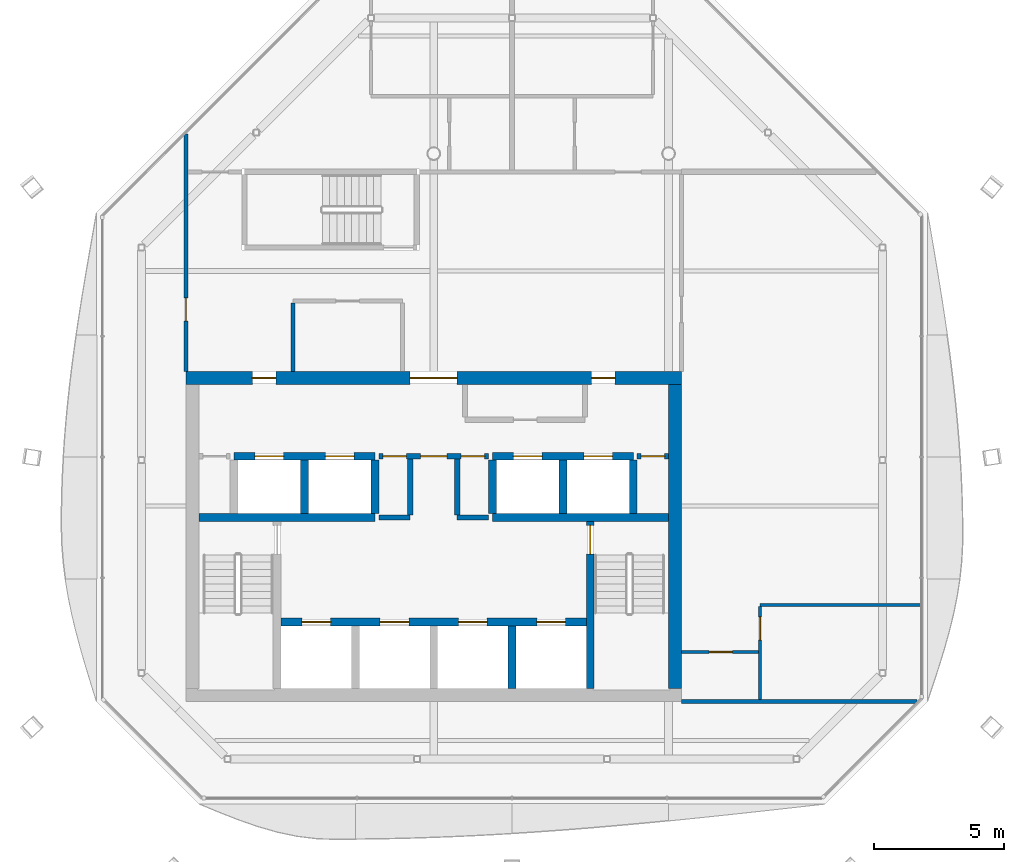
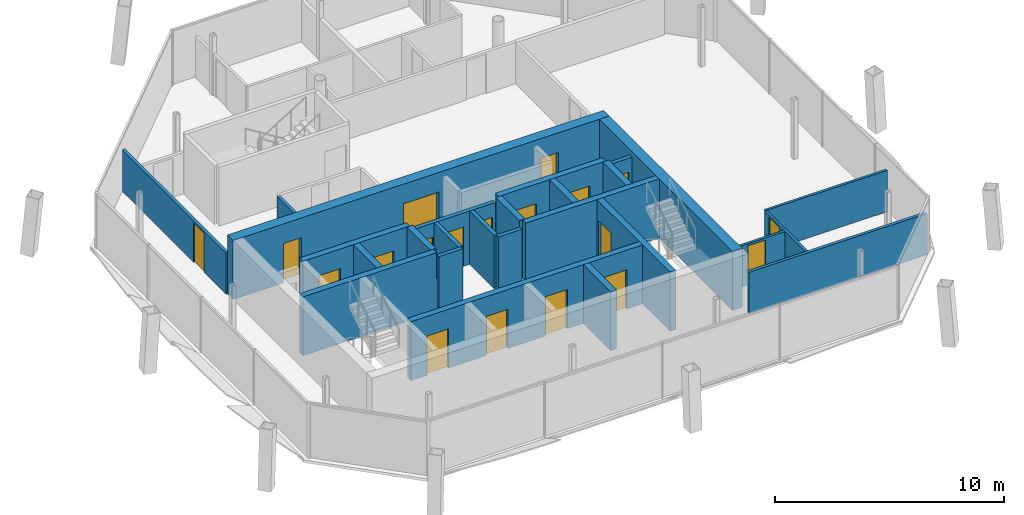
# One storey, part 9 of 13: 26 walls, 19 doors, 19 openings.
"""IFC4 building model written with IfcOpenShell, lengths in metres."""

from ifc_helpers import new_model, si_unit, direction, frame, frame_2d, origin, place, context, subcontext, project, spatial, rectangle, extrude, material, layer, layer_set, type_object, element, fill, save


model = new_model("IFC4")

# Units and contexts
model_context = context("Model", 3, precision=1e-05, world=origin(), true_north=direction((0.0, 1.0)))
body_context = subcontext(model_context, "Body", "Model", "MODEL_VIEW")
ifc_project = project(units=[si_unit("LENGTHUNIT", "METRE"), si_unit("AREAUNIT", "SQUARE_METRE"), si_unit("VOLUMEUNIT", "CUBIC_METRE"), si_unit("PLANEANGLEUNIT", "RADIAN"), si_unit("MASSUNIT", "GRAM", prefix="KILO")], contexts=[model_context])

# Site, building, storey
site_placement = place(None, origin())
site = spatial("IfcSite", under=ifc_project, at=site_placement, CompositionType="ELEMENT")
building_placement = place(site_placement, origin())
building = spatial("IfcBuilding", under=site, at=building_placement, Name="Tskaro Facet Tower", CompositionType="ELEMENT")
storey_placement = place(building_placement, frame((0.0, 0.0, 284.699951171875)))
storey = spatial("IfcBuildingStorey", under=building, at=storey_placement, Name="L76", CompositionType="ELEMENT", Elevation=284.699951171875)

# Wall, openings, doors
ifc_material_1 = material(Name="Concrete C60/75", Category="concrete")
ifc_layer_1 = layer(ifc_material_1, 0.300048828125, Name="Concrete C60/75")
ifc_layer_set_1 = layer_set([ifc_layer_1], Name="Concrete C60/75")
wall_type_1 = type_object("IfcWallType", Name="CORE-SHAFT", PredefinedType="SHEAR", material=ifc_layer_set_1)
wall_1_placement = place(storey_placement, frame((-5.85009765625, -8.949951171875, 0.0), z_axis=(0.0, 0.0, 1.0), x_axis=(1.0, 0.0, 0.0)))
wall_1 = element("IfcWall", 1, at=wall_1_placement, inside=storey, type_object=wall_type_1, Name="Shaft wall W003", PredefinedType="SHEAR", context=body_context, shape_type="SweptSolid", body=[
    extrude(rectangle(XDim=11.7001953125, YDim=0.300048828125, at=frame_2d((5.85009765625, 0.0))), origin(), (0.0, 0.0, 1.0), 3.150146484375),
])
opening_1_placement = place(wall_1_placement, frame((0.800048828125, 0.0, 0.0)))
opening_1 = element("IfcOpeningElement", 2, at=opening_1_placement, cuts=wall_1, Name="Opening LD-FF1", PredefinedType="OPENING", context=body_context, shape_type="SweptSolid", body=[
    extrude(rectangle(XDim=1.10009765625, YDim=2.10009765625, at=frame_2d((0.550048828125, 1.050048828125))), frame((0.0, 0.159912109375, 0.0), z_axis=(0.0, -1.0, 0.0), x_axis=(1.0, 0.0, 0.0)), (0.0, 0.0, 1.0), 0.320068359375),
])
opening_2_placement = place(wall_1_placement, frame((3.800048828125, 0.0, 0.0)))
opening_2 = element("IfcOpeningElement", 3, at=opening_2_placement, cuts=wall_1, Name="Opening LD-FF2", PredefinedType="OPENING", context=body_context, shape_type="SweptSolid", body=[
    extrude(rectangle(XDim=1.10009765625, YDim=2.10009765625, at=frame_2d((0.550048828125, 1.050048828125))), frame((0.0, 0.159912109375, 0.0), z_axis=(0.0, -1.0, 0.0), x_axis=(1.0, 0.0, 0.0)), (0.0, 0.0, 1.0), 0.320068359375),
])
opening_3_placement = place(wall_1_placement, frame((6.800048828125, 0.0, 0.0)))
opening_3 = element("IfcOpeningElement", 4, at=opening_3_placement, cuts=wall_1, Name="Opening LD-SV1", PredefinedType="OPENING", context=body_context, shape_type="SweptSolid", body=[
    extrude(rectangle(XDim=1.10009765625, YDim=2.10009765625, at=frame_2d((0.550048828125, 1.050048828125))), frame((0.0, 0.159912109375, 0.0), z_axis=(0.0, -1.0, 0.0), x_axis=(1.0, 0.0, 0.0)), (0.0, 0.0, 1.0), 0.320068359375),
])
opening_4_placement = place(wall_1_placement, frame((9.800048828125, 0.0, 0.0)))
opening_4 = element("IfcOpeningElement", 5, at=opening_4_placement, cuts=wall_1, Name="Opening LD-SV2", PredefinedType="OPENING", context=body_context, shape_type="SweptSolid", body=[
    extrude(rectangle(XDim=1.10009765625, YDim=2.10009765625, at=frame_2d((0.550048828125, 1.050048828125))), frame((0.0, 0.159912109375, 0.0), z_axis=(0.0, -1.0, 0.0), x_axis=(1.0, 0.0, 0.0)), (0.0, 0.0, 1.0), 0.320068359375),
])
ifc_material_2 = material(Name="Stainless steel", Category="steel")
door_type_1 = type_object("IfcDoorType", Name="D-LANDING", OperationType="NOTDEFINED", PredefinedType="DOOR", material=ifc_material_2)
door_1_placement = place(opening_1_placement, origin())
door_1 = element("IfcDoor", 6, at=door_1_placement, inside=storey, type_object=door_type_1, Name="Landing door FF1", OperationType="DOUBLE_DOOR_SLIDING", OverallHeight=2.10009765625, OverallWidth=1.10009765625, PredefinedType="DOOR", context=body_context, shape_type="SweptSolid", body=[
    extrude(rectangle(XDim=1.10009765625, YDim=2.10009765625, at=frame_2d((0.550048828125, 1.050048828125))), frame((0.0, 0.02490234375, 0.0), z_axis=(0.0, -1.0, 0.0), x_axis=(1.0, 0.0, 0.0)), (0.0, 0.0, 1.0), 0.050048828125),
])
fill(opening_1, door_1)
door_2_placement = place(opening_2_placement, origin())
door_2 = element("IfcDoor", 7, at=door_2_placement, inside=storey, type_object=door_type_1, Name="Landing door FF2", OperationType="DOUBLE_DOOR_SLIDING", OverallHeight=2.10009765625, OverallWidth=1.10009765625, PredefinedType="DOOR", context=body_context, shape_type="SweptSolid", body=[
    extrude(rectangle(XDim=1.10009765625, YDim=2.10009765625, at=frame_2d((0.550048828125, 1.050048828125))), frame((0.0, 0.02490234375, 0.0), z_axis=(0.0, -1.0, 0.0), x_axis=(1.0, 0.0, 0.0)), (0.0, 0.0, 1.0), 0.050048828125),
])
fill(opening_2, door_2)
door_3_placement = place(opening_3_placement, origin())
door_3 = element("IfcDoor", 8, at=door_3_placement, inside=storey, type_object=door_type_1, Name="Landing door SV1", OperationType="DOUBLE_DOOR_SLIDING", OverallHeight=2.10009765625, OverallWidth=1.10009765625, PredefinedType="DOOR", context=body_context, shape_type="SweptSolid", body=[
    extrude(rectangle(XDim=1.10009765625, YDim=2.10009765625, at=frame_2d((0.550048828125, 1.050048828125))), frame((0.0, 0.02490234375, 0.0), z_axis=(0.0, -1.0, 0.0), x_axis=(1.0, 0.0, 0.0)), (0.0, 0.0, 1.0), 0.050048828125),
])
fill(opening_3, door_3)
door_4_placement = place(opening_4_placement, origin())
door_4 = element("IfcDoor", 9, at=door_4_placement, inside=storey, type_object=door_type_1, Name="Landing door SV2", OperationType="DOUBLE_DOOR_SLIDING", OverallHeight=2.10009765625, OverallWidth=1.10009765625, PredefinedType="DOOR", context=body_context, shape_type="SweptSolid", body=[
    extrude(rectangle(XDim=1.10009765625, YDim=2.10009765625, at=frame_2d((0.550048828125, 1.050048828125))), frame((0.0, 0.02490234375, 0.0), z_axis=(0.0, -1.0, 0.0), x_axis=(1.0, 0.0, 0.0)), (0.0, 0.0, 1.0), 0.050048828125),
])
fill(opening_4, door_4)

# Walls
for number, where, z_axis, x_axis, name in (
    (10, (-9.0, -4.949951171875, 0.0), (0.0, 0.0, 1.0), (1.0, 0.0, 0.0), "Shaft wall W005"),
    (11, (2.25, -4.949951171875, 0.0), (0.0, 0.0, 1.0), (1.0, 0.0, 0.0), "Shaft wall W008"),
):
    element("IfcWall", number, at=place(storey_placement, frame(where, z_axis=z_axis, x_axis=x_axis)), inside=storey, type_object=wall_type_1, Name=name, PredefinedType="SHEAR", context=body_context, shape_type="SweptSolid", body=[
        extrude(rectangle(XDim=6.75, YDim=0.300048828125, at=frame_2d((3.375, 0.0))), origin(), (0.0, 0.0, 1.0), 3.150146484375),
    ])

# Wall, openings, doors
wall_2_placement = place(storey_placement, frame((-7.64990234375, -2.60009765625, 0.0), z_axis=(0.0, 0.0, 1.0), x_axis=(1.0, 0.0, 0.0)))
wall_2 = element("IfcWall", 12, at=wall_2_placement, inside=storey, type_object=wall_type_1, Name="Shaft wall W010", PredefinedType="SHEAR", context=body_context, shape_type="SweptSolid", body=[
    extrude(rectangle(XDim=5.39990234375, YDim=0.300048828125, at=frame_2d((2.699951171875, 0.0))), origin(), (0.0, 0.0, 1.0), 3.150146484375),
])
opening_5_placement = place(wall_2_placement, frame((0.800048828125, 0.0, 0.0)))
opening_5 = element("IfcOpeningElement", 13, at=opening_5_placement, cuts=wall_2, Name="Opening LD-HB1", PredefinedType="OPENING", context=body_context, shape_type="SweptSolid", body=[
    extrude(rectangle(XDim=1.10009765625, YDim=2.10009765625, at=frame_2d((0.550048828125, 1.050048828125))), frame((0.0, 0.159912109375, 0.0), z_axis=(0.0, -1.0, 0.0), x_axis=(1.0, 0.0, 0.0)), (0.0, 0.0, 1.0), 0.320068359375),
])
opening_6_placement = place(wall_2_placement, frame((3.5, 0.0, 0.0)))
opening_6 = element("IfcOpeningElement", 14, at=opening_6_placement, cuts=wall_2, Name="Opening LD-HB2", PredefinedType="OPENING", context=body_context, shape_type="SweptSolid", body=[
    extrude(rectangle(XDim=1.10009765625, YDim=2.10009765625, at=frame_2d((0.550048828125, 1.050048828125))), frame((0.0, 0.159912109375, 0.0), z_axis=(0.0, -1.0, 0.0), x_axis=(1.0, 0.0, 0.0)), (0.0, 0.0, 1.0), 0.320068359375),
])
door_5_placement = place(opening_5_placement, origin())
door_5 = element("IfcDoor", 15, at=door_5_placement, inside=storey, type_object=door_type_1, Name="Landing door HB1", OperationType="DOUBLE_DOOR_SLIDING", OverallHeight=2.10009765625, OverallWidth=1.10009765625, PredefinedType="DOOR", context=body_context, shape_type="SweptSolid", body=[
    extrude(rectangle(XDim=1.10009765625, YDim=2.10009765625, at=frame_2d((0.550048828125, 1.050048828125))), frame((0.0, 0.02490234375, 0.0), z_axis=(0.0, -1.0, 0.0), x_axis=(1.0, 0.0, 0.0)), (0.0, 0.0, 1.0), 0.050048828125),
])
fill(opening_5, door_5)
door_6_placement = place(opening_6_placement, origin())
door_6 = element("IfcDoor", 16, at=door_6_placement, inside=storey, type_object=door_type_1, Name="Landing door HB2", OperationType="DOUBLE_DOOR_SLIDING", OverallHeight=2.10009765625, OverallWidth=1.10009765625, PredefinedType="DOOR", context=body_context, shape_type="SweptSolid", body=[
    extrude(rectangle(XDim=1.10009765625, YDim=2.10009765625, at=frame_2d((0.550048828125, 1.050048828125))), frame((0.0, 0.02490234375, 0.0), z_axis=(0.0, -1.0, 0.0), x_axis=(1.0, 0.0, 0.0)), (0.0, 0.0, 1.0), 0.050048828125),
])
fill(opening_6, door_6)

wall_3_placement = place(storey_placement, frame((2.25, -2.60009765625, 0.0), z_axis=(0.0, 0.0, 1.0), x_axis=(1.0, 0.0, 0.0)))
wall_3 = element("IfcWall", 17, at=wall_3_placement, inside=storey, type_object=wall_type_1, Name="Shaft wall W012", PredefinedType="SHEAR", context=body_context, shape_type="SweptSolid", body=[
    extrude(rectangle(XDim=5.39990234375, YDim=0.300048828125, at=frame_2d((2.699951171875, 0.0))), origin(), (0.0, 0.0, 1.0), 3.150146484375),
])
opening_7_placement = place(wall_3_placement, frame((0.800048828125, 0.0, 0.0)))
opening_7 = element("IfcOpeningElement", 18, at=opening_7_placement, cuts=wall_3, Name="Opening LD-HB3", PredefinedType="OPENING", context=body_context, shape_type="SweptSolid", body=[
    extrude(rectangle(XDim=1.10009765625, YDim=2.10009765625, at=frame_2d((0.550048828125, 1.050048828125))), frame((0.0, 0.159912109375, 0.0), z_axis=(0.0, -1.0, 0.0), x_axis=(1.0, 0.0, 0.0)), (0.0, 0.0, 1.0), 0.320068359375),
])
opening_8_placement = place(wall_3_placement, frame((3.5, 0.0, 0.0)))
opening_8 = element("IfcOpeningElement", 19, at=opening_8_placement, cuts=wall_3, Name="Opening LD-HB4", PredefinedType="OPENING", context=body_context, shape_type="SweptSolid", body=[
    extrude(rectangle(XDim=1.10009765625, YDim=2.10009765625, at=frame_2d((0.550048828125, 1.050048828125))), frame((0.0, 0.159912109375, 0.0), z_axis=(0.0, -1.0, 0.0), x_axis=(1.0, 0.0, 0.0)), (0.0, 0.0, 1.0), 0.320068359375),
])
door_7_placement = place(opening_7_placement, origin())
door_7 = element("IfcDoor", 20, at=door_7_placement, inside=storey, type_object=door_type_1, Name="Landing door HB3", OperationType="DOUBLE_DOOR_SLIDING", OverallHeight=2.10009765625, OverallWidth=1.10009765625, PredefinedType="DOOR", context=body_context, shape_type="SweptSolid", body=[
    extrude(rectangle(XDim=1.10009765625, YDim=2.10009765625, at=frame_2d((0.550048828125, 1.050048828125))), frame((0.0, 0.02490234375, 0.0), z_axis=(0.0, -1.0, 0.0), x_axis=(1.0, 0.0, 0.0)), (0.0, 0.0, 1.0), 0.050048828125),
])
fill(opening_7, door_7)
door_8_placement = place(opening_8_placement, origin())
door_8 = element("IfcDoor", 21, at=door_8_placement, inside=storey, type_object=door_type_1, Name="Landing door HB4", OperationType="DOUBLE_DOOR_SLIDING", OverallHeight=2.10009765625, OverallWidth=1.10009765625, PredefinedType="DOOR", context=body_context, shape_type="SweptSolid", body=[
    extrude(rectangle(XDim=1.10009765625, YDim=2.10009765625, at=frame_2d((0.550048828125, 1.050048828125))), frame((0.0, 0.02490234375, 0.0), z_axis=(0.0, -1.0, 0.0), x_axis=(1.0, 0.0, 0.0)), (0.0, 0.0, 1.0), 0.050048828125),
])
fill(opening_8, door_8)

# Walls
for number, where, z_axis, x_axis, name in (
    (22, (-4.949951171875, -4.800048828125, 0.0), (0.0, 0.0, 1.0), (0.0, 1.0, 0.0), "Shaft wall W027"),
    (23, (-2.25, -4.800048828125, 0.0), (0.0, 0.0, 1.0), (0.0, 1.0, 0.0), "Shaft wall W031"),
    (24, (2.25, -4.800048828125, 0.0), (0.0, 0.0, 1.0), (0.0, 1.0, 0.0), "Shaft wall W039"),
):
    element("IfcWall", number, at=place(storey_placement, frame(where, z_axis=z_axis, x_axis=x_axis)), inside=storey, type_object=wall_type_1, Name=name, PredefinedType="SHEAR", context=body_context, shape_type="SweptSolid", body=[
        extrude(rectangle(XDim=2.050048828125, YDim=0.300048828125, at=frame_2d((1.02490234375, 0.0))), origin(), (0.0, 0.0, 1.0), 3.150146484375),
    ])
wall_4_placement = place(storey_placement, frame((3.0, -11.5, 0.0), z_axis=(0.0, 0.0, 1.0), x_axis=(0.0, 1.0, 0.0)))
element("IfcWall", 25, at=wall_4_placement, inside=storey, type_object=wall_type_1, Name="Shaft wall W040", PredefinedType="SHEAR", context=body_context, shape_type="SweptSolid", body=[
    extrude(rectangle(XDim=2.39990234375, YDim=0.300048828125, at=frame_2d((1.199951171875, 0.0))), origin(), (0.0, 0.0, 1.0), 3.150146484375),
])
wall_5_placement = place(storey_placement, frame((4.949951171875, -4.800048828125, 0.0), z_axis=(0.0, 0.0, 1.0), x_axis=(0.0, 1.0, 0.0)))
element("IfcWall", 26, at=wall_5_placement, inside=storey, type_object=wall_type_1, Name="Shaft wall W043", PredefinedType="SHEAR", context=body_context, shape_type="SweptSolid", body=[
    extrude(rectangle(XDim=2.050048828125, YDim=0.300048828125, at=frame_2d((1.02490234375, 0.0))), origin(), (0.0, 0.0, 1.0), 3.150146484375),
])

# Wall, opening, door
wall_6_placement = place(storey_placement, frame((6.0, -5.10009765625, 0.0), z_axis=(0.0, 0.0, 1.0), x_axis=(0.0, -1.0, 0.0)))
wall_6 = element("IfcWall", 27, at=wall_6_placement, inside=storey, type_object=wall_type_1, Name="Shaft wall W046", PredefinedType="SHEAR", context=body_context, shape_type="SweptSolid", body=[
    extrude(rectangle(XDim=6.39990234375, YDim=0.300048828125, at=frame_2d((3.199951171875, 0.0))), origin(), (0.0, 0.0, 1.0), 3.150146484375),
])
opening_9_placement = place(wall_6_placement, frame((0.14990234375, 0.0, 0.0)))
opening_9 = element("IfcOpeningElement", 28, at=opening_9_placement, cuts=wall_6, Name="Opening ST-2-D1", PredefinedType="OPENING", context=body_context, shape_type="SweptSolid", body=[
    extrude(rectangle(XDim=1.10009765625, YDim=2.10009765625, at=frame_2d((0.550048828125, 1.050048828125))), frame((0.0, 0.159912109375, 0.0), z_axis=(0.0, -1.0, 0.0), x_axis=(1.0, 0.0, 0.0)), (0.0, 0.0, 1.0), 0.320068359375),
])
ifc_material_3 = material(Name="Steel", Category="steel")
door_type_2 = type_object("IfcDoorType", Name="D-STAIR", OperationType="NOTDEFINED", PredefinedType="DOOR", material=ifc_material_3)
door_9_placement = place(opening_9_placement, origin())
door_9 = element("IfcDoor", 29, at=door_9_placement, inside=storey, type_object=door_type_2, Name="Stair door 2", OperationType="SINGLE_SWING_RIGHT", OverallHeight=2.10009765625, OverallWidth=1.10009765625, PredefinedType="DOOR", context=body_context, shape_type="SweptSolid", body=[
    extrude(rectangle(XDim=1.10009765625, YDim=2.10009765625, at=frame_2d((0.550048828125, 1.050048828125))), frame((0.0, 0.02490234375, 0.0), z_axis=(0.0, -1.0, 0.0), x_axis=(1.0, 0.0, 0.0)), (0.0, 0.0, 1.0), 0.050048828125),
])
fill(opening_9, door_9)

# Walls
wall_7_placement = place(storey_placement, frame((7.64990234375, -4.800048828125, 0.0), z_axis=(0.0, 0.0, 1.0), x_axis=(0.0, 1.0, 0.0)))
element("IfcWall", 30, at=wall_7_placement, inside=storey, type_object=wall_type_1, Name="Shaft wall W047", PredefinedType="SHEAR", context=body_context, shape_type="SweptSolid", body=[
    extrude(rectangle(XDim=2.050048828125, YDim=0.300048828125, at=frame_2d((1.02490234375, 0.0))), origin(), (0.0, 0.0, 1.0), 3.150146484375),
])
ifc_material_4 = material(Name="Concrete C20/25", Category="concrete")
ifc_layer_2 = layer(ifc_material_4, 0.199951171875, Name="Concrete C20/25")
ifc_layer_set_2 = layer_set([ifc_layer_2], Name="Concrete C20/25")
wall_type_2 = type_object("IfcWallType", Name="CORE-WALL", PredefinedType="SOLIDWALL", material=ifc_layer_set_2)
for number, where, z_axis, x_axis, name in (
    (31, (-2.10009765625, -4.949951171875, 0.0), (0.0, 0.0, 1.0), (1.0, 0.0, 0.0), "Core room wall W006"),
    (32, (0.89990234375, -4.949951171875, 0.0), (0.0, 0.0, 1.0), (1.0, 0.0, 0.0), "Core room wall W007"),
):
    element("IfcWall", number, at=place(storey_placement, frame(where, z_axis=z_axis, x_axis=x_axis)), inside=storey, type_object=wall_type_2, Name=name, PredefinedType="SOLIDWALL", context=body_context, shape_type="SweptSolid", body=[
        extrude(rectangle(XDim=1.2001953125, YDim=0.199951171875, at=frame_2d((0.60009765625, 0.0))), origin(), (0.0, 0.0, 1.0), 2.85009765625),
    ])

# Wall, openings, doors
wall_8_placement = place(storey_placement, frame((2.10009765625, -2.60009765625, 0.0), z_axis=(0.0, 0.0, 1.0), x_axis=(-1.0, 0.0, 0.0)))
wall_8 = element("IfcWall", 33, at=wall_8_placement, inside=storey, type_object=wall_type_2, Name="Core room wall W011", PredefinedType="SOLIDWALL", context=body_context, shape_type="SweptSolid", body=[
    extrude(rectangle(XDim=4.2001953125, YDim=0.199951171875, at=frame_2d((2.10009765625, 0.0))), origin(), (0.0, 0.0, 1.0), 2.85009765625),
])
opening_10_placement = place(wall_8_placement, frame((1.60009765625, 0.0, 0.0)))
opening_10 = element("IfcOpeningElement", 34, at=opening_10_placement, cuts=wall_8, Name="Opening FL-D1", PredefinedType="OPENING", context=body_context, shape_type="SweptSolid", body=[
    extrude(rectangle(XDim=1.0, YDim=2.10009765625, at=frame_2d((0.5, 1.050048828125))), frame((0.0, 0.10986328125, 0.0), z_axis=(0.0, -1.0, 0.0), x_axis=(1.0, 0.0, 0.0)), (0.0, 0.0, 1.0), 0.219970703125),
])
opening_11_placement = place(wall_8_placement, frame((3.14990234375, 0.0, 0.0)))
opening_11 = element("IfcOpeningElement", 35, at=opening_11_placement, cuts=wall_8, Name="Opening T22-D04", PredefinedType="OPENING", context=body_context, shape_type="SweptSolid", body=[
    extrude(rectangle(XDim=0.89990234375, YDim=2.10009765625, at=frame_2d((0.449951171875, 1.050048828125))), frame((0.0, 0.10986328125, 0.0), z_axis=(0.0, -1.0, 0.0), x_axis=(1.0, 0.0, 0.0)), (0.0, 0.0, 1.0), 0.219970703125),
])
opening_12_placement = place(wall_8_placement, frame((0.14990234375, 0.0, 0.0)))
opening_12 = element("IfcOpeningElement", 36, at=opening_12_placement, cuts=wall_8, Name="Opening T22-D05", PredefinedType="OPENING", context=body_context, shape_type="SweptSolid", body=[
    extrude(rectangle(XDim=0.89990234375, YDim=2.10009765625, at=frame_2d((0.449951171875, 1.050048828125))), frame((0.0, 0.10986328125, 0.0), z_axis=(0.0, -1.0, 0.0), x_axis=(1.0, 0.0, 0.0)), (0.0, 0.0, 1.0), 0.219970703125),
])
door_type_3 = type_object("IfcDoorType", Name="D-LOBBY", OperationType="NOTDEFINED", PredefinedType="DOOR", material=ifc_material_3)
door_10_placement = place(opening_10_placement, origin())
door_10 = element("IfcDoor", 37, at=door_10_placement, inside=storey, type_object=door_type_3, Name="Lobby door FL", OperationType="SINGLE_SWING_RIGHT", OverallHeight=2.10009765625, OverallWidth=1.0, PredefinedType="DOOR", context=body_context, shape_type="SweptSolid", body=[
    extrude(rectangle(XDim=1.0, YDim=2.10009765625, at=frame_2d((0.5, 1.050048828125))), frame((0.0, 0.02490234375, 0.0), z_axis=(0.0, -1.0, 0.0), x_axis=(1.0, 0.0, 0.0)), (0.0, 0.0, 1.0), 0.050048828125),
])
fill(opening_10, door_10)
ifc_material_5 = material(Name="Timber", Category="wood")
door_type_4 = type_object("IfcDoorType", Name="D-ROOM", OperationType="NOTDEFINED", PredefinedType="DOOR", material=ifc_material_5)
door_11_placement = place(opening_11_placement, origin())
door_11 = element("IfcDoor", 38, at=door_11_placement, inside=storey, type_object=door_type_4, Name="Door T22-D04", OperationType="SINGLE_SWING_RIGHT", OverallHeight=2.10009765625, OverallWidth=0.89990234375, PredefinedType="DOOR", context=body_context, shape_type="SweptSolid", body=[
    extrude(rectangle(XDim=0.89990234375, YDim=2.10009765625, at=frame_2d((0.449951171875, 1.050048828125))), frame((0.0, 0.02490234375, 0.0), z_axis=(0.0, -1.0, 0.0), x_axis=(1.0, 0.0, 0.0)), (0.0, 0.0, 1.0), 0.050048828125),
])
fill(opening_11, door_11)
door_12_placement = place(opening_12_placement, origin())
door_12 = element("IfcDoor", 39, at=door_12_placement, inside=storey, type_object=door_type_4, Name="Door T22-D05", OperationType="SINGLE_SWING_RIGHT", OverallHeight=2.10009765625, OverallWidth=0.89990234375, PredefinedType="DOOR", context=body_context, shape_type="SweptSolid", body=[
    extrude(rectangle(XDim=0.89990234375, YDim=2.10009765625, at=frame_2d((0.449951171875, 1.050048828125))), frame((0.0, 0.02490234375, 0.0), z_axis=(0.0, -1.0, 0.0), x_axis=(1.0, 0.0, 0.0)), (0.0, 0.0, 1.0), 0.050048828125),
])
fill(opening_12, door_12)

# Wall, opening, door
wall_9_placement = place(storey_placement, frame((9.0, -2.60009765625, 0.0), z_axis=(0.0, 0.0, 1.0), x_axis=(-1.0, 0.0, 0.0)))
wall_9 = element("IfcWall", 40, at=wall_9_placement, inside=storey, type_object=wall_type_2, Name="Core room wall W013", PredefinedType="SOLIDWALL", context=body_context, shape_type="SweptSolid", body=[
    extrude(rectangle(XDim=1.199951171875, YDim=0.199951171875, at=frame_2d((0.60009765625, 0.0))), origin(), (0.0, 0.0, 1.0), 2.85009765625),
])
opening_13_placement = place(wall_9_placement, frame((0.14990234375, 0.0, 0.0)))
opening_13 = element("IfcOpeningElement", 41, at=opening_13_placement, cuts=wall_9, Name="Opening T22-D06", PredefinedType="OPENING", context=body_context, shape_type="SweptSolid", body=[
    extrude(rectangle(XDim=0.89990234375, YDim=2.10009765625, at=frame_2d((0.449951171875, 1.050048828125))), frame((0.0, 0.10986328125, 0.0), z_axis=(0.0, -1.0, 0.0), x_axis=(1.0, 0.0, 0.0)), (0.0, 0.0, 1.0), 0.219970703125),
])
door_13_placement = place(opening_13_placement, origin())
door_13 = element("IfcDoor", 42, at=door_13_placement, inside=storey, type_object=door_type_4, Name="Door T22-D06", OperationType="SINGLE_SWING_RIGHT", OverallHeight=2.10009765625, OverallWidth=0.89990234375, PredefinedType="DOOR", context=body_context, shape_type="SweptSolid", body=[
    extrude(rectangle(XDim=0.89990234375, YDim=2.10009765625, at=frame_2d((0.449951171875, 1.050048828125))), frame((0.0, 0.02490234375, 0.0), z_axis=(0.0, -1.0, 0.0), x_axis=(1.0, 0.0, 0.0)), (0.0, 0.0, 1.0), 0.050048828125),
])
fill(opening_13, door_13)

# Walls
for number, where, z_axis, x_axis, name in (
    (43, (-0.89990234375, -4.85009765625, 0.0), (0.0, 0.0, 1.0), (0.0, 1.0, 0.0), "Core room wall W033"),
    (44, (0.89990234375, -4.85009765625, 0.0), (0.0, 0.0, 1.0), (0.0, 1.0, 0.0), "Core room wall W037"),
):
    element("IfcWall", number, at=place(storey_placement, frame(where, z_axis=z_axis, x_axis=x_axis)), inside=storey, type_object=wall_type_2, Name=name, PredefinedType="SOLIDWALL", context=body_context, shape_type="SweptSolid", body=[
        extrude(rectangle(XDim=2.150146484375, YDim=0.199951171875, at=frame_2d((1.0751953125, 0.0))), origin(), (0.0, 0.0, 1.0), 2.85009765625),
    ])

# Wall, openings, doors
ifc_material_6 = material(Name="Concrete C40/50", Category="concrete")
ifc_layer_3 = layer(ifc_material_6, 0.5, Name="Concrete C40/50")
ifc_layer_set_3 = layer_set([ifc_layer_3], Name="Concrete C40/50")
wall_type_3 = type_object("IfcWallType", Name="Core wall 500", PredefinedType="SHEAR", material=ifc_layer_set_3)
wall_10_placement = place(storey_placement, frame((-9.5, 0.39990234375, 0.0), z_axis=(0.0, 0.0, 1.0), x_axis=(1.0, 0.0, 0.0)))
wall_10 = element("IfcWall", 45, at=wall_10_placement, inside=storey, type_object=wall_type_3, Name="Core wall CW-Z3N", PredefinedType="SHEAR", context=body_context, shape_type="SweptSolid", body=[
    extrude(rectangle(XDim=19.0, YDim=0.5, at=frame_2d((9.5, 0.0))), origin(), (0.0, 0.0, 1.0), 3.150146484375),
])
opening_14_placement = place(wall_10_placement, frame((8.60009765625, 0.0, 0.0)))
opening_14 = element("IfcOpeningElement", 46, at=opening_14_placement, cuts=wall_10, Name="Opening T22-D09", PredefinedType="OPENING", context=body_context, shape_type="SweptSolid", body=[
    extrude(rectangle(XDim=1.800048828125, YDim=2.10009765625, at=frame_2d((0.89990234375, 1.050048828125))), frame((0.0, 0.260009765625, 0.0), z_axis=(0.0, -1.0, 0.0), x_axis=(1.0, 0.0, 0.0)), (0.0, 0.0, 1.0), 0.52001953125),
])
opening_15_placement = place(wall_10_placement, frame((2.550048828125, 0.0, 0.0)))
opening_15 = element("IfcOpeningElement", 47, at=opening_15_placement, cuts=wall_10, Name="Opening T22-D08", PredefinedType="OPENING", context=body_context, shape_type="SweptSolid", body=[
    extrude(rectangle(XDim=0.89990234375, YDim=2.10009765625, at=frame_2d((0.449951171875, 1.050048828125))), frame((0.0, 0.260009765625, 0.0), z_axis=(0.0, -1.0, 0.0), x_axis=(1.0, 0.0, 0.0)), (0.0, 0.0, 1.0), 0.52001953125),
])
opening_16_placement = place(wall_10_placement, frame((15.550048828125, 0.0, 0.0)))
opening_16 = element("IfcOpeningElement", 48, at=opening_16_placement, cuts=wall_10, Name="Opening T22-D10", PredefinedType="OPENING", context=body_context, shape_type="SweptSolid", body=[
    extrude(rectangle(XDim=0.89990234375, YDim=2.10009765625, at=frame_2d((0.449951171875, 1.050048828125))), frame((0.0, 0.260009765625, 0.0), z_axis=(0.0, -1.0, 0.0), x_axis=(1.0, 0.0, 0.0)), (0.0, 0.0, 1.0), 0.52001953125),
])
door_type_5 = type_object("IfcDoorType", Name="D-CORE-PAIR", OperationType="NOTDEFINED", PredefinedType="DOOR", material=ifc_material_3)
door_14_placement = place(opening_14_placement, origin())
door_14 = element("IfcDoor", 49, at=door_14_placement, inside=storey, type_object=door_type_5, Name="Door T22-D09", OperationType="DOUBLE_DOOR_SINGLE_SWING", OverallHeight=2.10009765625, OverallWidth=1.800048828125, PredefinedType="DOOR", context=body_context, shape_type="SweptSolid", body=[
    extrude(rectangle(XDim=1.800048828125, YDim=2.10009765625, at=frame_2d((0.89990234375, 1.050048828125))), frame((0.0, 0.02490234375, 0.0), z_axis=(0.0, -1.0, 0.0), x_axis=(1.0, 0.0, 0.0)), (0.0, 0.0, 1.0), 0.050048828125),
])
fill(opening_14, door_14)
door_15_placement = place(opening_15_placement, origin())
door_15 = element("IfcDoor", 50, at=door_15_placement, inside=storey, type_object=door_type_4, Name="Door T22-D08", OperationType="SINGLE_SWING_LEFT", OverallHeight=2.10009765625, OverallWidth=0.89990234375, PredefinedType="DOOR", context=body_context, shape_type="SweptSolid", body=[
    extrude(rectangle(XDim=0.89990234375, YDim=2.10009765625, at=frame_2d((0.449951171875, 1.050048828125))), frame((0.0, 0.02490234375, 0.0), z_axis=(0.0, -1.0, 0.0), x_axis=(1.0, 0.0, 0.0)), (0.0, 0.0, 1.0), 0.050048828125),
])
fill(opening_15, door_15)
door_16_placement = place(opening_16_placement, origin())
door_16 = element("IfcDoor", 51, at=door_16_placement, inside=storey, type_object=door_type_4, Name="Door T22-D10", OperationType="SINGLE_SWING_LEFT", OverallHeight=2.10009765625, OverallWidth=0.89990234375, PredefinedType="DOOR", context=body_context, shape_type="SweptSolid", body=[
    extrude(rectangle(XDim=0.89990234375, YDim=2.10009765625, at=frame_2d((0.449951171875, 1.050048828125))), frame((0.0, 0.02490234375, 0.0), z_axis=(0.0, -1.0, 0.0), x_axis=(1.0, 0.0, 0.0)), (0.0, 0.0, 1.0), 0.050048828125),
])
fill(opening_16, door_16)

# Wall
wall_11_placement = place(storey_placement, frame((9.25, -11.5, 0.0), z_axis=(0.0, 0.0, 1.0), x_axis=(0.0, 1.0, 0.0)))
element("IfcWall", 52, at=wall_11_placement, inside=storey, type_object=wall_type_3, Name="Core wall CW-Z3E", PredefinedType="SHEAR", context=body_context, shape_type="SweptSolid", body=[
    extrude(rectangle(XDim=11.64990234375, YDim=0.5, at=frame_2d((5.824951171875, 0.0))), origin(), (0.0, 0.0, 1.0), 3.150146484375),
])

# Wall, opening, door
ifc_material_7 = material(Name="Gypsum board on steel studs", Category="steel")
ifc_layer_4 = layer(ifc_material_7, 0.125, Name="Gypsum board on steel studs")
ifc_layer_set_4 = layer_set([ifc_layer_4], Name="Gypsum board on steel studs")
wall_type_4 = type_object("IfcWallType", Name="PART", PredefinedType="PARTITIONING", material=ifc_layer_set_4)
wall_12_placement = place(storey_placement, frame((12.4375, -10.10009765625, 0.0), z_axis=(0.0, 0.0, 1.0), x_axis=(-1.0, 0.0, 0.0)))
wall_12 = element("IfcWall", 53, at=wall_12_placement, inside=storey, type_object=wall_type_4, Name="Partition W002", PredefinedType="PARTITIONING", context=body_context, shape_type="SweptSolid", body=[
    extrude(rectangle(XDim=2.9375, YDim=0.125, at=frame_2d((1.46875, 0.0))), origin(), (0.0, 0.0, 1.0), 2.2099609375),
])
opening_17_placement = place(wall_12_placement, frame((0.987548828125, 0.0, 0.0)))
opening_17 = element("IfcOpeningElement", 54, at=opening_17_placement, cuts=wall_12, Name="Opening T22-D01", PredefinedType="OPENING", context=body_context, shape_type="SweptSolid", body=[
    extrude(rectangle(XDim=0.89990234375, YDim=2.10009765625, at=frame_2d((0.449951171875, 1.050048828125))), frame((0.0, 0.072509765625, 0.0), z_axis=(0.0, -1.0, 0.0), x_axis=(1.0, 0.0, 0.0)), (0.0, 0.0, 1.0), 0.14501953125),
])
door_17_placement = place(opening_17_placement, origin())
door_17 = element("IfcDoor", 55, at=door_17_placement, inside=storey, type_object=door_type_4, Name="Door T22-D01", OperationType="SINGLE_SWING_RIGHT", OverallHeight=2.10009765625, OverallWidth=0.89990234375, PredefinedType="DOOR", context=body_context, shape_type="SweptSolid", body=[
    extrude(rectangle(XDim=0.89990234375, YDim=2.10009765625, at=frame_2d((0.449951171875, 1.050048828125))), frame((0.0, 0.02490234375, 0.0), z_axis=(0.0, -1.0, 0.0), x_axis=(1.0, 0.0, 0.0)), (0.0, 0.0, 1.0), 0.050048828125),
])
fill(opening_17, door_17)

# Wall
wall_13_placement = place(storey_placement, frame((12.5, -8.300048828125, 0.0), z_axis=(0.0, 0.0, 1.0), x_axis=(1.0, 0.0, 0.0)))
element("IfcWall", 56, at=wall_13_placement, inside=storey, type_object=wall_type_4, Name="Partition W004", PredefinedType="PARTITIONING", context=body_context, shape_type="SweptSolid", body=[
    extrude(rectangle(XDim=6.14794921875, YDim=0.125, at=frame_2d((3.073974609375, 0.0))), origin(), (0.0, 0.0, 1.0), 2.2099609375),
])

# Wall, opening, door
wall_14_placement = place(storey_placement, frame((12.5, -8.362548828125, 0.0), z_axis=(0.0, 0.0, 1.0), x_axis=(0.0, -1.0, 0.0)))
wall_14 = element("IfcWall", 57, at=wall_14_placement, inside=storey, type_object=wall_type_4, Name="Partition W051", PredefinedType="PARTITIONING", context=body_context, shape_type="SweptSolid", body=[
    extrude(rectangle(XDim=3.5625, YDim=0.125, at=frame_2d((1.78125, 0.0))), origin(), (0.0, 0.0, 1.0), 2.2099609375),
])
opening_18_placement = place(wall_14_placement, frame((0.387451171875, 0.0, 0.0)))
opening_18 = element("IfcOpeningElement", 58, at=opening_18_placement, cuts=wall_14, Name="Opening T22-D02", PredefinedType="OPENING", context=body_context, shape_type="SweptSolid", body=[
    extrude(rectangle(XDim=0.89990234375, YDim=2.10009765625, at=frame_2d((0.449951171875, 1.050048828125))), frame((0.0, 0.072509765625, 0.0), z_axis=(0.0, -1.0, 0.0), x_axis=(1.0, 0.0, 0.0)), (0.0, 0.0, 1.0), 0.14501953125),
])
door_18_placement = place(opening_18_placement, origin())
door_18 = element("IfcDoor", 59, at=door_18_placement, inside=storey, type_object=door_type_4, Name="Door T22-D02", OperationType="SINGLE_SWING_LEFT", OverallHeight=2.10009765625, OverallWidth=0.89990234375, PredefinedType="DOOR", context=body_context, shape_type="SweptSolid", body=[
    extrude(rectangle(XDim=0.89990234375, YDim=2.10009765625, at=frame_2d((0.449951171875, 1.050048828125))), frame((0.0, 0.02490234375, 0.0), z_axis=(0.0, -1.0, 0.0), x_axis=(1.0, 0.0, 0.0)), (0.0, 0.0, 1.0), 0.050048828125),
])
fill(opening_18, door_18)

# Wall
ifc_layer_5 = layer(ifc_material_7, 0.14990234375, Name="Gypsum board on steel studs")
ifc_layer_set_5 = layer_set([ifc_layer_5], Name="Gypsum board on steel studs")
wall_type_5 = type_object("IfcWallType", Name="PART-CORR", PredefinedType="PARTITIONING", material=ifc_layer_set_5)
wall_15_placement = place(storey_placement, frame((9.5, -12.0, 0.0), z_axis=(0.0, 0.0, 1.0), x_axis=(1.0, 0.0, 0.0)))
element("IfcWall", 60, at=wall_15_placement, inside=storey, type_object=wall_type_5, Name="Corridor wall W001", PredefinedType="PARTITIONING", context=body_context, shape_type="SweptSolid", body=[
    extrude(rectangle(XDim=9.014892578125, YDim=0.14990234375, at=frame_2d((4.50732421875, 0.0))), origin(), (0.0, 0.0, 1.0), 2.2099609375),
])

# Wall, opening, door
wall_16_placement = place(storey_placement, frame((-9.5, 0.64990234375, 0.0), z_axis=(0.0, 0.0, 1.0), x_axis=(0.0, 1.0, 0.0)))
wall_16 = element("IfcWall", 61, at=wall_16_placement, inside=storey, type_object=wall_type_5, Name="Corridor wall W022", PredefinedType="PARTITIONING", context=body_context, shape_type="SweptSolid", body=[
    extrude(rectangle(XDim=9.10400390625, YDim=0.14990234375, at=frame_2d((4.552001953125, 0.0))), origin(), (0.0, 0.0, 1.0), 2.2099609375),
])
opening_19_placement = place(wall_16_placement, frame((1.925048828125, 0.0, 0.0)))
opening_19 = element("IfcOpeningElement", 62, at=opening_19_placement, cuts=wall_16, Name="Opening T22-D11", PredefinedType="OPENING", context=body_context, shape_type="SweptSolid", body=[
    extrude(rectangle(XDim=0.89990234375, YDim=2.10009765625, at=frame_2d((0.449951171875, 1.050048828125))), frame((0.0, 0.0849609375, 0.0), z_axis=(0.0, -1.0, 0.0), x_axis=(1.0, 0.0, 0.0)), (0.0, 0.0, 1.0), 0.169921875),
])
door_19_placement = place(opening_19_placement, origin())
door_19 = element("IfcDoor", 63, at=door_19_placement, inside=storey, type_object=door_type_4, Name="Door T22-D11", OperationType="SINGLE_SWING_LEFT", OverallHeight=2.10009765625, OverallWidth=0.89990234375, PredefinedType="DOOR", context=body_context, shape_type="SweptSolid", body=[
    extrude(rectangle(XDim=0.89990234375, YDim=2.10009765625, at=frame_2d((0.449951171875, 1.050048828125))), frame((0.0, 0.02490234375, 0.0), z_axis=(0.0, -1.0, 0.0), x_axis=(1.0, 0.0, 0.0)), (0.0, 0.0, 1.0), 0.050048828125),
])
fill(opening_19, door_19)

# Wall
wall_17_placement = place(storey_placement, frame((-5.39990234375, 0.64990234375, 0.0), z_axis=(0.0, 0.0, 1.0), x_axis=(0.0, 1.0, 0.0)))
element("IfcWall", 64, at=wall_17_placement, inside=storey, type_object=wall_type_5, Name="Corridor wall W026", PredefinedType="PARTITIONING", context=body_context, shape_type="SweptSolid", body=[
    extrude(rectangle(XDim=2.625, YDim=0.14990234375, at=frame_2d((1.3125, 0.0))), origin(), (0.0, 0.0, 1.0), 2.2099609375),
])

save(model, "model.ifc")
